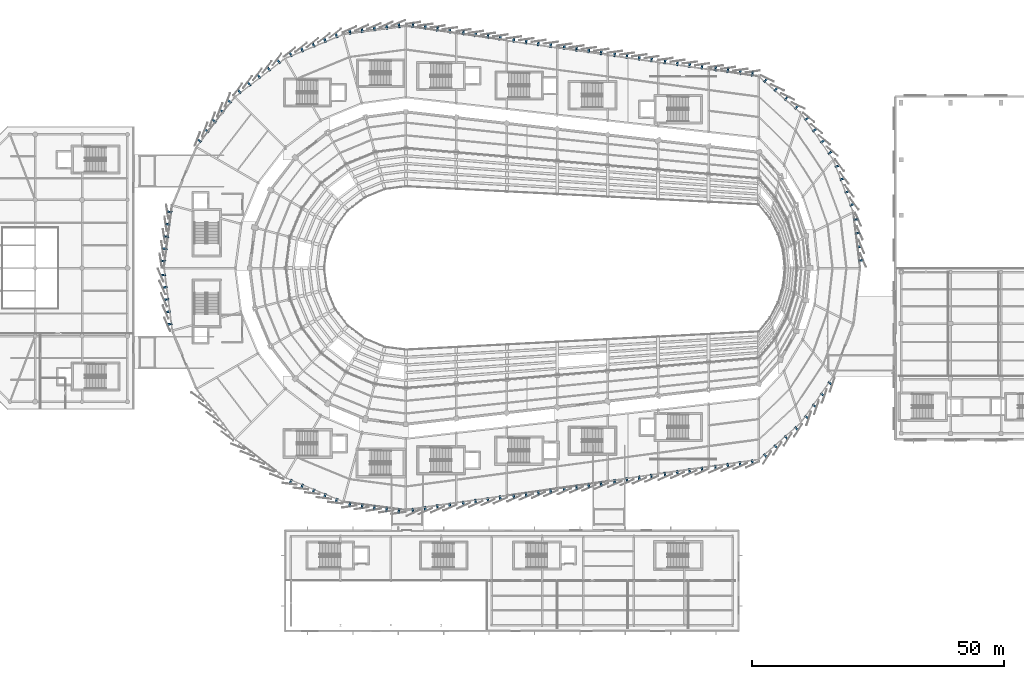
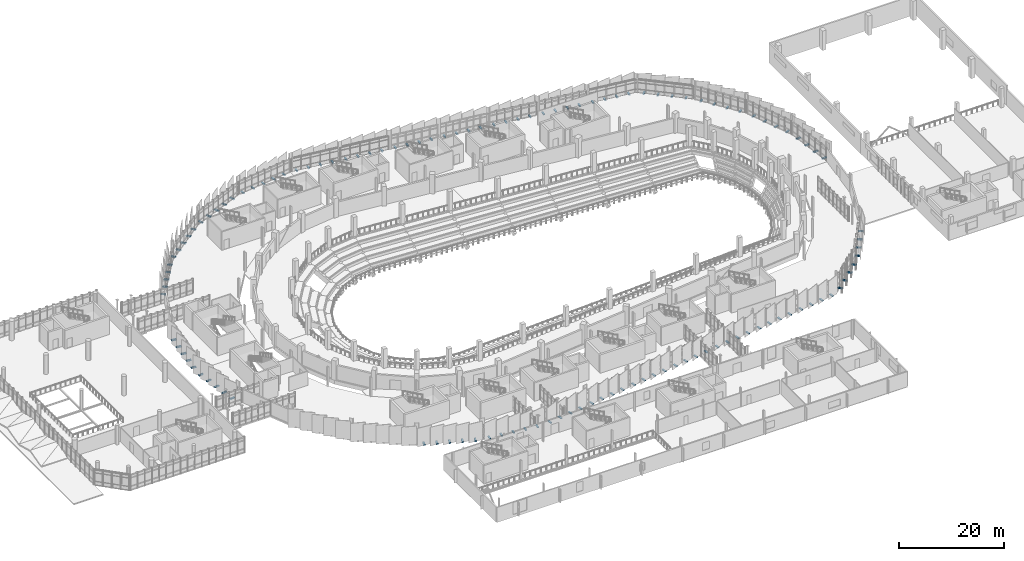
# One storey, part 120 of 134: 120 discrete accessories.
"""IFC4 building model written with IfcOpenShell, lengths in metres."""

from ifc_helpers import new_model, si_unit, direction, frame, origin, origin_2d, place, context, subcontext, project, spatial, rectangle, extrude, material, type_object, element, save


model = new_model("IFC4")

# Units and contexts
model_context = context("Model", 3, precision=1e-05, world=origin(), true_north=direction((0.0, 1.0)))
body_context = subcontext(model_context, "Body", "Model", "MODEL_VIEW")
ifc_project = project(units=[si_unit("LENGTHUNIT", "METRE"), si_unit("AREAUNIT", "SQUARE_METRE"), si_unit("VOLUMEUNIT", "CUBIC_METRE"), si_unit("PLANEANGLEUNIT", "RADIAN"), si_unit("MASSUNIT", "GRAM", prefix="KILO")], contexts=[model_context])

# Site, building, storey
site_placement = place(None, origin())
site = spatial("IfcSite", under=ifc_project, at=site_placement, CompositionType="ELEMENT")
building_placement = place(site_placement, origin())
building = spatial("IfcBuilding", under=site, at=building_placement, Name="Sohan Crest Arena", CompositionType="ELEMENT")
storey_placement = place(building_placement, frame((0.0, 0.0, 4.5)))
storey = spatial("IfcBuildingStorey", under=building, at=storey_placement, Name="L01", CompositionType="ELEMENT", Elevation=4.5)

# Discrete accessories
ifc_material = material(Name="Steel S355", Category="steel")
discrete_accessory_type = type_object("IfcDiscreteAccessoryType", Name="ARC-ACC-BRK1", PredefinedType="BRACKET", material=ifc_material)
for number, where, z_axis, x_axis, name in (
    (1, (96.613037109375, 126.139892578125, -0.22998046875), (0.0, 0.0, 1.0), (-0.991444861374, -0.13052619222, 0.0), "Ceramic scale carrier bracket BRK-0001"),
    (2, (94.179931640625, 125.820068359375, -0.22998046875), (0.0, 0.0, 1.0), (-0.991444861374, -0.13052619222, 0.0), "Ceramic scale carrier bracket BRK-0002"),
    (3, (91.7470703125, 125.4990234375, -0.22998046875), (0.0, 0.0, 1.0), (-0.991444861374, -0.13052619222, 0.0), "Ceramic scale carrier bracket BRK-0003"),
    (4, (89.31396484375, 125.178955078125, -0.22998046875), (0.0, 0.0, 1.0), (-0.991444861374, -0.13052619222, 0.0), "Ceramic scale carrier bracket BRK-0004"),
    (5, (86.881103515625, 124.85791015625, -0.22998046875), (0.0, 0.0, 1.0), (-0.991444861374, -0.13052619222, 0.0), "Ceramic scale carrier bracket BRK-0005"),
    (6, (84.200927734375, 124.139892578125, -0.22998046875), (0.0, 0.0, 1.0), (-0.923879532511, -0.382683432365, 0.0), "Ceramic scale carrier bracket BRK-0006"),
    (7, (81.93310546875, 123.200927734375, -0.22998046875), (0.0, 0.0, 1.0), (-0.923879532511, -0.382683432365, 0.0), "Ceramic scale carrier bracket BRK-0007"),
    (8, (79.666015625, 122.261962890625, -0.22998046875), (0.0, 0.0, 1.0), (-0.923879532511, -0.382683432365, 0.0), "Ceramic scale carrier bracket BRK-0008"),
    (9, (77.39892578125, 121.322998046875, -0.22998046875), (0.0, 0.0, 1.0), (-0.923879532511, -0.382683432365, 0.0), "Ceramic scale carrier bracket BRK-0009"),
    (10, (75.131103515625, 120.384033203125, -0.22998046875), (0.0, 0.0, 1.0), (-0.923879532511, -0.382683432365, 0.0), "Ceramic scale carrier bracket BRK-0010"),
    (11, (72.72900390625, 118.9970703125, -0.22998046875), (0.0, 0.0, 1.0), (-0.793353340291, -0.608761429009, 0.0), "Ceramic scale carrier bracket BRK-0011"),
    (12, (70.781982421875, 117.5029296875, -0.22998046875), (0.0, 0.0, 1.0), (-0.793353340291, -0.608761429009, 0.0), "Ceramic scale carrier bracket BRK-0012"),
    (13, (68.8349609375, 116.009033203125, -0.22998046875), (0.0, 0.0, 1.0), (-0.793353340291, -0.608761429009, 0.0), "Ceramic scale carrier bracket BRK-0013"),
    (14, (66.887939453125, 114.514892578125, -0.22998046875), (0.0, 0.0, 1.0), (-0.793353340291, -0.608761429009, 0.0), "Ceramic scale carrier bracket BRK-0014"),
    (15, (64.94091796875, 113.02099609375, -0.22998046875), (0.0, 0.0, 1.0), (-0.793353340291, -0.608761429009, 0.0), "Ceramic scale carrier bracket BRK-0015"),
    (16, (62.97900390625, 111.05908203125, -0.22998046875), (0.0, 0.0, 1.0), (-0.608761429009, -0.793353340291, 0.0), "Ceramic scale carrier bracket BRK-0016"),
    (17, (61.485107421875, 109.112060546875, -0.22998046875), (0.0, 0.0, 1.0), (-0.608761429009, -0.793353340291, 0.0), "Ceramic scale carrier bracket BRK-0017"),
    (18, (59.990966796875, 107.1650390625, -0.22998046875), (0.0, 0.0, 1.0), (-0.608761429009, -0.793353340291, 0.0), "Ceramic scale carrier bracket BRK-0018"),
    (19, (58.4970703125, 105.218017578125, -0.22998046875), (0.0, 0.0, 1.0), (-0.608761429009, -0.793353340291, 0.0), "Ceramic scale carrier bracket BRK-0019"),
    (20, (57.0029296875, 103.27099609375, -0.22998046875), (0.0, 0.0, 1.0), (-0.608761429009, -0.793353340291, 0.0), "Ceramic scale carrier bracket BRK-0020"),
    (21, (51.14208984375, 89.118896484375, -0.22998046875), (0.0, 0.0, 1.0), (-0.13052619222, -0.991444861374, 0.0), "Ceramic scale carrier bracket BRK-0021"),
    (22, (50.821044921875, 86.68603515625, -0.22998046875), (0.0, 0.0, 1.0), (-0.13052619222, -0.991444861374, 0.0), "Ceramic scale carrier bracket BRK-0022"),
    (23, (50.5009765625, 84.2529296875, -0.22998046875), (0.0, 0.0, 1.0), (-0.13052619222, -0.991444861374, 0.0), "Ceramic scale carrier bracket BRK-0023"),
    (24, (50.179931640625, 81.820068359375, -0.22998046875), (0.0, 0.0, 1.0), (-0.13052619222, -0.991444861374, 0.0), "Ceramic scale carrier bracket BRK-0024"),
    (25, (49.860107421875, 79.386962890625, -0.22998046875), (0.0, 0.0, 1.0), (-0.13052619222, -0.991444861374, 0.0), "Ceramic scale carrier bracket BRK-0025"),
    (26, (49.860107421875, 76.613037109375, -0.22998046875), (0.0, 0.0, 1.0), (0.13052619222, -0.991444861374, 0.0), "Ceramic scale carrier bracket BRK-0026"),
    (27, (50.179931640625, 74.179931640625, -0.22998046875), (0.0, 0.0, 1.0), (0.13052619222, -0.991444861374, 0.0), "Ceramic scale carrier bracket BRK-0027"),
    (28, (50.5009765625, 71.7470703125, -0.22998046875), (0.0, 0.0, 1.0), (0.13052619222, -0.991444861374, 0.0), "Ceramic scale carrier bracket BRK-0028"),
    (29, (50.821044921875, 69.31396484375, -0.22998046875), (0.0, 0.0, 1.0), (0.13052619222, -0.991444861374, 0.0), "Ceramic scale carrier bracket BRK-0029"),
    (30, (51.14208984375, 66.881103515625, -0.22998046875), (0.0, 0.0, 1.0), (0.13052619222, -0.991444861374, 0.0), "Ceramic scale carrier bracket BRK-0030"),
    (31, (75.131103515625, 35.615966796875, -0.22998046875), (0.0, 0.0, 1.0), (0.923879532511, -0.382683432365, 0.0), "Ceramic scale carrier bracket BRK-0041"),
    (32, (77.39892578125, 34.677001953125, -0.22998046875), (0.0, 0.0, 1.0), (0.923879532511, -0.382683432365, 0.0), "Ceramic scale carrier bracket BRK-0042"),
    (33, (79.666015625, 33.738037109375, -0.22998046875), (0.0, 0.0, 1.0), (0.923879532511, -0.382683432365, 0.0), "Ceramic scale carrier bracket BRK-0043"),
    (34, (81.93310546875, 32.799072265625, -0.22998046875), (0.0, 0.0, 1.0), (0.923879532511, -0.382683432365, 0.0), "Ceramic scale carrier bracket BRK-0044"),
    (35, (84.200927734375, 31.860107421875, -0.22998046875), (0.0, 0.0, 1.0), (0.923879532511, -0.382683432365, 0.0), "Ceramic scale carrier bracket BRK-0045"),
    (36, (86.881103515625, 31.14208984375, -0.22998046875), (0.0, 0.0, 1.0), (0.991444861374, -0.13052619222, 0.0), "Ceramic scale carrier bracket BRK-0046"),
    (37, (89.31396484375, 30.821044921875, -0.22998046875), (0.0, 0.0, 1.0), (0.991444861374, -0.13052619222, 0.0), "Ceramic scale carrier bracket BRK-0047"),
    (38, (91.7470703125, 30.5009765625, -0.22998046875), (0.0, 0.0, 1.0), (0.991444861374, -0.13052619222, 0.0), "Ceramic scale carrier bracket BRK-0048"),
    (39, (94.179931640625, 30.179931640625, -0.22998046875), (0.0, 0.0, 1.0), (0.991444861374, -0.13052619222, 0.0), "Ceramic scale carrier bracket BRK-0049"),
    (40, (96.613037109375, 29.860107421875, -0.22998046875), (0.0, 0.0, 1.0), (0.991444861374, -0.13052619222, 0.0), "Ceramic scale carrier bracket BRK-0050"),
    (41, (99.39208984375, 29.875, -0.22998046875), (0.0, 0.0, 1.0), (0.990023657717, 0.140901231938, 0.0), "Ceramic scale carrier bracket BRK-0051"),
    (42, (101.827880859375, 30.22412109375, -0.22998046875), (0.0, 0.0, 1.0), (0.990023657717, 0.140901231938, 0.0), "Ceramic scale carrier bracket BRK-0052"),
    (43, (104.262939453125, 30.572021484375, -0.22998046875), (0.0, 0.0, 1.0), (0.990023657717, 0.140901231938, 0.0), "Ceramic scale carrier bracket BRK-0053"),
    (44, (106.698974609375, 30.919921875, -0.22998046875), (0.0, 0.0, 1.0), (0.990023657717, 0.140901231938, 0.0), "Ceramic scale carrier bracket BRK-0054"),
    (45, (109.39208984375, 31.303955078125, -0.22998046875), (0.0, 0.0, 1.0), (0.990023657717, 0.140901231938, 0.0), "Ceramic scale carrier bracket BRK-0055"),
    (46, (111.827880859375, 31.652099609375, -0.22998046875), (0.0, 0.0, 1.0), (0.990023657717, 0.140901231938, 0.0), "Ceramic scale carrier bracket BRK-0056"),
    (47, (114.262939453125, 32.0, -0.22998046875), (0.0, 0.0, 1.0), (0.990023657717, 0.140901231938, 0.0), "Ceramic scale carrier bracket BRK-0057"),
    (48, (116.698974609375, 32.347900390625, -0.22998046875), (0.0, 0.0, 1.0), (0.990023657717, 0.140901231938, 0.0), "Ceramic scale carrier bracket BRK-0058"),
    (49, (119.39208984375, 32.73193359375, -0.22998046875), (0.0, 0.0, 1.0), (0.990023657717, 0.140901231938, 0.0), "Ceramic scale carrier bracket BRK-0059"),
    (50, (121.827880859375, 33.0810546875, -0.22998046875), (0.0, 0.0, 1.0), (0.990023657717, 0.140901231938, 0.0), "Ceramic scale carrier bracket BRK-0060"),
    (51, (124.262939453125, 33.428955078125, -0.22998046875), (0.0, 0.0, 1.0), (0.990023657717, 0.140901231938, 0.0), "Ceramic scale carrier bracket BRK-0061"),
    (52, (126.698974609375, 33.777099609375, -0.22998046875), (0.0, 0.0, 1.0), (0.990023657717, 0.140901231938, 0.0), "Ceramic scale carrier bracket BRK-0062"),
    (53, (129.39208984375, 34.160888671875, -0.22998046875), (0.0, 0.0, 1.0), (0.990023657717, 0.140901231938, 0.0), "Ceramic scale carrier bracket BRK-0063"),
    (54, (131.827880859375, 34.509033203125, -0.22998046875), (0.0, 0.0, 1.0), (0.990023657717, 0.140901231938, 0.0), "Ceramic scale carrier bracket BRK-0064"),
    (55, (134.262939453125, 34.85693359375, -0.22998046875), (0.0, 0.0, 1.0), (0.990023657717, 0.140901231938, 0.0), "Ceramic scale carrier bracket BRK-0065"),
    (56, (136.698974609375, 35.205078125, -0.22998046875), (0.0, 0.0, 1.0), (0.990023657717, 0.140901231938, 0.0), "Ceramic scale carrier bracket BRK-0066"),
    (57, (139.39208984375, 35.589111328125, -0.22998046875), (0.0, 0.0, 1.0), (0.990023657717, 0.140901231938, 0.0), "Ceramic scale carrier bracket BRK-0067"),
    (58, (141.827880859375, 35.93798828125, -0.22998046875), (0.0, 0.0, 1.0), (0.990023657717, 0.140901231938, 0.0), "Ceramic scale carrier bracket BRK-0068"),
    (59, (144.262939453125, 36.285888671875, -0.22998046875), (0.0, 0.0, 1.0), (0.990023657717, 0.140901231938, 0.0), "Ceramic scale carrier bracket BRK-0069"),
    (60, (146.698974609375, 36.634033203125, -0.22998046875), (0.0, 0.0, 1.0), (0.990023657717, 0.140901231938, 0.0), "Ceramic scale carrier bracket BRK-0070"),
    (61, (149.39208984375, 37.01806640625, -0.22998046875), (0.0, 0.0, 1.0), (0.990023657717, 0.140901231938, 0.0), "Ceramic scale carrier bracket BRK-0071"),
    (62, (151.827880859375, 37.365966796875, -0.22998046875), (0.0, 0.0, 1.0), (0.990023657717, 0.140901231938, 0.0), "Ceramic scale carrier bracket BRK-0072"),
    (63, (154.262939453125, 37.714111328125, -0.22998046875), (0.0, 0.0, 1.0), (0.990023657717, 0.140901231938, 0.0), "Ceramic scale carrier bracket BRK-0073"),
    (64, (156.698974609375, 38.06201171875, -0.22998046875), (0.0, 0.0, 1.0), (0.990023657717, 0.140901231938, 0.0), "Ceramic scale carrier bracket BRK-0074"),
    (65, (159.39208984375, 38.446044921875, -0.22998046875), (0.0, 0.0, 1.0), (0.990023657717, 0.140901231938, 0.0), "Ceramic scale carrier bracket BRK-0075"),
    (66, (161.827880859375, 38.794921875, -0.22998046875), (0.0, 0.0, 1.0), (0.990023657717, 0.140901231938, 0.0), "Ceramic scale carrier bracket BRK-0076"),
    (67, (164.262939453125, 39.14306640625, -0.22998046875), (0.0, 0.0, 1.0), (0.990023657717, 0.140901231938, 0.0), "Ceramic scale carrier bracket BRK-0077"),
    (68, (166.698974609375, 39.490966796875, -0.22998046875), (0.0, 0.0, 1.0), (0.990023657717, 0.140901231938, 0.0), "Ceramic scale carrier bracket BRK-0078"),
    (69, (169.33203125, 40.742919921875, -0.22998046875), (0.0, 0.0, 1.0), (0.751264133504, 0.660001667961, 0.0), "Ceramic scale carrier bracket BRK-0079"),
    (70, (171.37890625, 42.5390625, -0.22998046875), (0.0, 0.0, 1.0), (0.751264133504, 0.660001667961, 0.0), "Ceramic scale carrier bracket BRK-0080"),
    (71, (173.426025390625, 44.3349609375, -0.22998046875), (0.0, 0.0, 1.0), (0.751264133504, 0.660001667961, 0.0), "Ceramic scale carrier bracket BRK-0081"),
    (72, (175.472900390625, 46.131103515625, -0.22998046875), (0.0, 0.0, 1.0), (0.751264133504, 0.660001667961, 0.0), "Ceramic scale carrier bracket BRK-0082"),
    (73, (177.4970703125, 48.39697265625, -0.22998046875), (0.0, 0.0, 1.0), (0.570713567684, 0.821149209134, 0.0), "Ceramic scale carrier bracket BRK-0083"),
    (74, (179.051025390625, 50.633056640625, -0.22998046875), (0.0, 0.0, 1.0), (0.570713567684, 0.821149209134, 0.0), "Ceramic scale carrier bracket BRK-0084"),
    (75, (180.60595703125, 52.867919921875, -0.22998046875), (0.0, 0.0, 1.0), (0.570713567684, 0.821149209134, 0.0), "Ceramic scale carrier bracket BRK-0085"),
    (76, (182.159912109375, 55.10400390625, -0.22998046875), (0.0, 0.0, 1.0), (0.570713567684, 0.821149209134, 0.0), "Ceramic scale carrier bracket BRK-0086"),
    (77, (188.214111328125, 79.51904296875, -0.22998046875), (0.0, 0.0, 1.0), (-0.121869343405, 0.992546151641, 0.0), "Ceramic scale carrier bracket BRK-0087"),
    (78, (187.884033203125, 82.221923828125, -0.22998046875), (0.0, 0.0, 1.0), (-0.121869343405, 0.992546151641, 0.0), "Ceramic scale carrier bracket BRK-0088"),
    (79, (187.553955078125, 84.925048828125, -0.22998046875), (0.0, 0.0, 1.0), (-0.121869343405, 0.992546151641, 0.0), "Ceramic scale carrier bracket BRK-0089"),
    (80, (187.22412109375, 87.6279296875, -0.22998046875), (0.0, 0.0, 1.0), (-0.121869343405, 0.992546151641, 0.0), "Ceramic scale carrier bracket BRK-0090"),
    (81, (186.491943359375, 90.576904296875, -0.22998046875), (0.0, 0.0, 1.0), (-0.35673799932, 0.934204474321, 0.0), "Ceramic scale carrier bracket BRK-0091"),
    (82, (185.52099609375, 93.12109375, -0.22998046875), (0.0, 0.0, 1.0), (-0.35673799932, 0.934204474321, 0.0), "Ceramic scale carrier bracket BRK-0092"),
    (83, (184.550048828125, 95.666015625, -0.22998046875), (0.0, 0.0, 1.0), (-0.35673799932, 0.934204474321, 0.0), "Ceramic scale carrier bracket BRK-0093"),
    (84, (183.5791015625, 98.2099609375, -0.22998046875), (0.0, 0.0, 1.0), (-0.35673799932, 0.934204474321, 0.0), "Ceramic scale carrier bracket BRK-0094"),
    (85, (182.159912109375, 100.89599609375, -0.22998046875), (0.0, 0.0, 1.0), (-0.570713567684, 0.821149209134, 0.0), "Ceramic scale carrier bracket BRK-0095"),
    (86, (180.60595703125, 103.132080078125, -0.22998046875), (0.0, 0.0, 1.0), (-0.570713567684, 0.821149209134, 0.0), "Ceramic scale carrier bracket BRK-0096"),
    (87, (179.051025390625, 105.366943359375, -0.22998046875), (0.0, 0.0, 1.0), (-0.570713567684, 0.821149209134, 0.0), "Ceramic scale carrier bracket BRK-0097"),
    (88, (177.4970703125, 107.60302734375, -0.22998046875), (0.0, 0.0, 1.0), (-0.570713567684, 0.821149209134, 0.0), "Ceramic scale carrier bracket BRK-0098"),
    (89, (175.472900390625, 109.868896484375, -0.22998046875), (0.0, 0.0, 1.0), (-0.751264133504, 0.660001667961, 0.0), "Ceramic scale carrier bracket BRK-0099"),
    (90, (173.426025390625, 111.6650390625, -0.22998046875), (0.0, 0.0, 1.0), (-0.751264133504, 0.660001667961, 0.0), "Ceramic scale carrier bracket BRK-0100"),
    (91, (171.37890625, 113.4609375, -0.22998046875), (0.0, 0.0, 1.0), (-0.751264133504, 0.660001667961, 0.0), "Ceramic scale carrier bracket BRK-0101"),
    (92, (169.33203125, 115.257080078125, -0.22998046875), (0.0, 0.0, 1.0), (-0.751264133504, 0.660001667961, 0.0), "Ceramic scale carrier bracket BRK-0102"),
    (93, (166.698974609375, 116.509033203125, -0.22998046875), (0.0, 0.0, 1.0), (-0.990023657717, 0.140901231938, 0.0), "Ceramic scale carrier bracket BRK-0103"),
    (94, (164.262939453125, 116.85693359375, -0.22998046875), (0.0, 0.0, 1.0), (-0.990023657717, 0.140901231938, 0.0), "Ceramic scale carrier bracket BRK-0104"),
    (95, (161.827880859375, 117.205078125, -0.22998046875), (0.0, 0.0, 1.0), (-0.990023657717, 0.140901231938, 0.0), "Ceramic scale carrier bracket BRK-0105"),
    (96, (159.39208984375, 117.553955078125, -0.22998046875), (0.0, 0.0, 1.0), (-0.990023657717, 0.140901231938, 0.0), "Ceramic scale carrier bracket BRK-0106"),
    (97, (156.698974609375, 117.93798828125, -0.22998046875), (0.0, 0.0, 1.0), (-0.990023657717, 0.140901231938, 0.0), "Ceramic scale carrier bracket BRK-0107"),
    (98, (154.262939453125, 118.285888671875, -0.22998046875), (0.0, 0.0, 1.0), (-0.990023657717, 0.140901231938, 0.0), "Ceramic scale carrier bracket BRK-0108"),
    (99, (151.827880859375, 118.634033203125, -0.22998046875), (0.0, 0.0, 1.0), (-0.990023657717, 0.140901231938, 0.0), "Ceramic scale carrier bracket BRK-0109"),
    (100, (149.39208984375, 118.98193359375, -0.22998046875), (0.0, 0.0, 1.0), (-0.990023657717, 0.140901231938, 0.0), "Ceramic scale carrier bracket BRK-0110"),
    (101, (146.698974609375, 119.365966796875, -0.22998046875), (0.0, 0.0, 1.0), (-0.990023657717, 0.140901231938, 0.0), "Ceramic scale carrier bracket BRK-0111"),
    (102, (144.262939453125, 119.714111328125, -0.22998046875), (0.0, 0.0, 1.0), (-0.990023657717, 0.140901231938, 0.0), "Ceramic scale carrier bracket BRK-0112"),
    (103, (141.827880859375, 120.06201171875, -0.22998046875), (0.0, 0.0, 1.0), (-0.990023657717, 0.140901231938, 0.0), "Ceramic scale carrier bracket BRK-0113"),
    (104, (139.39208984375, 120.410888671875, -0.22998046875), (0.0, 0.0, 1.0), (-0.990023657717, 0.140901231938, 0.0), "Ceramic scale carrier bracket BRK-0114"),
    (105, (136.698974609375, 120.794921875, -0.22998046875), (0.0, 0.0, 1.0), (-0.990023657717, 0.140901231938, 0.0), "Ceramic scale carrier bracket BRK-0115"),
    (106, (134.262939453125, 121.14306640625, -0.22998046875), (0.0, 0.0, 1.0), (-0.990023657717, 0.140901231938, 0.0), "Ceramic scale carrier bracket BRK-0116"),
    (107, (131.827880859375, 121.490966796875, -0.22998046875), (0.0, 0.0, 1.0), (-0.990023657717, 0.140901231938, 0.0), "Ceramic scale carrier bracket BRK-0117"),
    (108, (129.39208984375, 121.839111328125, -0.22998046875), (0.0, 0.0, 1.0), (-0.990023657717, 0.140901231938, 0.0), "Ceramic scale carrier bracket BRK-0118"),
    (109, (126.698974609375, 122.222900390625, -0.22998046875), (0.0, 0.0, 1.0), (-0.990023657717, 0.140901231938, 0.0), "Ceramic scale carrier bracket BRK-0119"),
    (110, (124.262939453125, 122.571044921875, -0.22998046875), (0.0, 0.0, 1.0), (-0.990023657717, 0.140901231938, 0.0), "Ceramic scale carrier bracket BRK-0120"),
    (111, (121.827880859375, 122.9189453125, -0.22998046875), (0.0, 0.0, 1.0), (-0.990023657717, 0.140901231938, 0.0), "Ceramic scale carrier bracket BRK-0121"),
    (112, (119.39208984375, 123.26806640625, -0.22998046875), (0.0, 0.0, 1.0), (-0.990023657717, 0.140901231938, 0.0), "Ceramic scale carrier bracket BRK-0122"),
    (113, (116.698974609375, 123.652099609375, -0.22998046875), (0.0, 0.0, 1.0), (-0.990023657717, 0.140901231938, 0.0), "Ceramic scale carrier bracket BRK-0123"),
    (114, (114.262939453125, 124.0, -0.22998046875), (0.0, 0.0, 1.0), (-0.990023657717, 0.140901231938, 0.0), "Ceramic scale carrier bracket BRK-0124"),
    (115, (111.827880859375, 124.347900390625, -0.22998046875), (0.0, 0.0, 1.0), (-0.990023657717, 0.140901231938, 0.0), "Ceramic scale carrier bracket BRK-0125"),
    (116, (109.39208984375, 124.696044921875, -0.22998046875), (0.0, 0.0, 1.0), (-0.990023657717, 0.140901231938, 0.0), "Ceramic scale carrier bracket BRK-0126"),
    (117, (106.698974609375, 125.080078125, -0.22998046875), (0.0, 0.0, 1.0), (-0.990023657717, 0.140901231938, 0.0), "Ceramic scale carrier bracket BRK-0127"),
    (118, (104.262939453125, 125.427978515625, -0.22998046875), (0.0, 0.0, 1.0), (-0.990023657717, 0.140901231938, 0.0), "Ceramic scale carrier bracket BRK-0128"),
    (119, (101.827880859375, 125.77587890625, -0.22998046875), (0.0, 0.0, 1.0), (-0.990023657717, 0.140901231938, 0.0), "Ceramic scale carrier bracket BRK-0129"),
    (120, (99.39208984375, 126.125, -0.22998046875), (0.0, 0.0, 1.0), (-0.990023657717, 0.140901231938, 0.0), "Ceramic scale carrier bracket BRK-0130"),
):
    element("IfcDiscreteAccessory", number, at=place(storey_placement, frame(where, z_axis=z_axis, x_axis=x_axis)), inside=storey, type_object=discrete_accessory_type, Name=name, PredefinedType="BRACKET", context=body_context, shape_type="SweptSolid", body=[
        extrude(rectangle(XDim=0.35009765625, YDim=0.9599609375, at=origin_2d()), origin(), (0.0, 0.0, 1.0), 0.219970703125),
    ])

save(model, "model.ifc")
